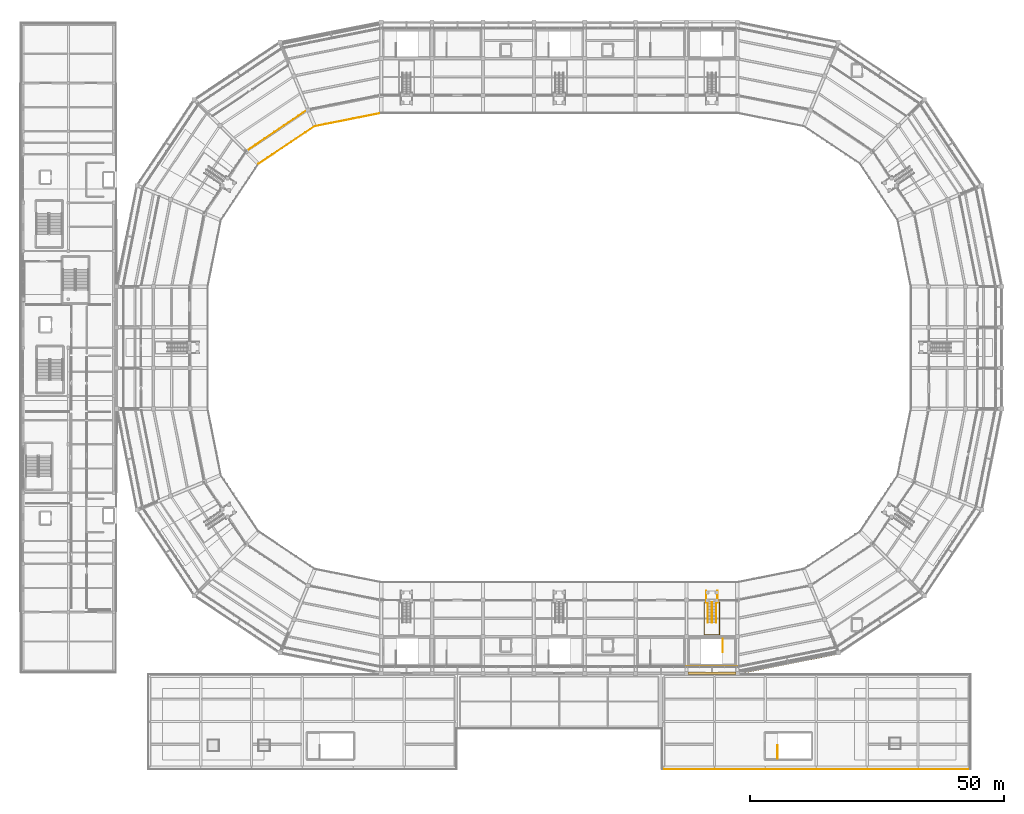
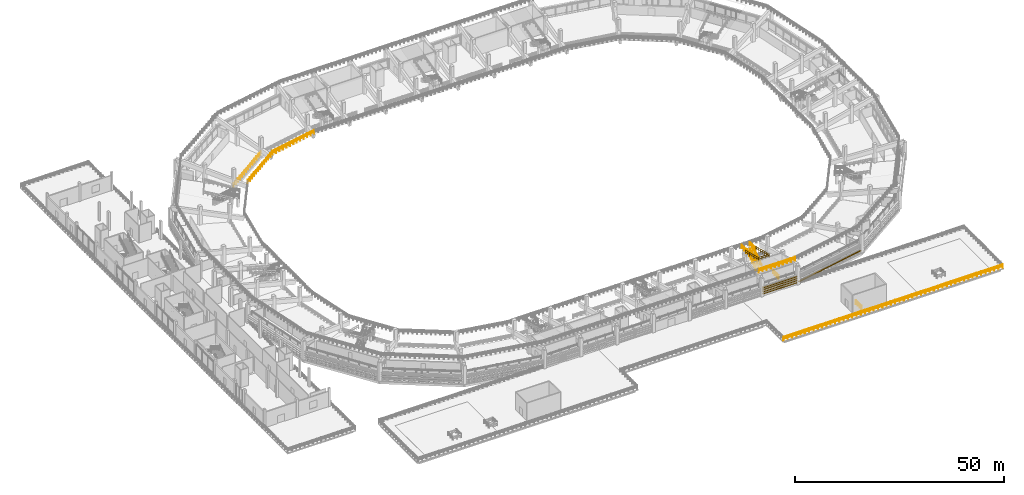
# One storey, part 87 of 96: 11 railings, 5 shading devices.
"""IFC4 building model written with IfcOpenShell, lengths in metres."""

from ifc_helpers import new_model, si_unit, direction, frame, origin, origin_2d, place, context, subcontext, project, spatial, rectangle, circle, extrude, material, layer, layer_set, type_object, element, save


model = new_model("IFC4")

# Units and contexts
model_context = context("Model", 3, precision=1e-05, world=origin(), true_north=direction((0.0, 1.0)))
body_context = subcontext(model_context, "Body", "Model", "MODEL_VIEW")
ifc_project = project(units=[si_unit("LENGTHUNIT", "METRE"), si_unit("AREAUNIT", "SQUARE_METRE"), si_unit("VOLUMEUNIT", "CUBIC_METRE"), si_unit("PLANEANGLEUNIT", "RADIAN"), si_unit("MASSUNIT", "GRAM", prefix="KILO")], contexts=[model_context])

# Site, building, storey
site_placement = place(None, origin())
site = spatial("IfcSite", under=ifc_project, at=site_placement, CompositionType="ELEMENT")
building_placement = place(site_placement, origin())
building = spatial("IfcBuilding", under=site, at=building_placement, Name="Candeia Ridge Stadium", CompositionType="ELEMENT")
storey_placement = place(building_placement, frame((0.0, 0.0, 21.60009765625)))
storey = spatial("IfcBuildingStorey", under=building, at=storey_placement, Name="L04", CompositionType="ELEMENT", Elevation=21.60009765625)

# Railings
ifc_material_1 = material(Name="Laminated Glass & Stainless Steel", Category="steel")
ifc_layer_1 = layer(ifc_material_1, 0.080078125, Name="Laminated Glass & Stainless Steel", Category="steel")
ifc_layer_set_1 = layer_set([ifc_layer_1], Name="Laminated Glass & Stainless Steel")
railing_type_1 = type_object("IfcRailingType", Name="Planted Terrace Glass-Steel Guard 1150", PredefinedType="BALUSTRADE", material=ifc_layer_set_1)
railing_1_placement = place(storey_placement, frame((126.199951171875, 0.199951171875, 0.0)))
element("IfcRailing", 1, at=railing_1_placement, inside=storey, type_object=railing_type_1, Name="Terrace perimeter balustrade GR-TER-205", PredefinedType="BALUSTRADE", context=body_context, shape_type="SweptSolid", body=[
    extrude(circle(Radius=0.02392578125, at=origin_2d()), frame((0.0, 0.0, 1.1259765625), z_axis=(1.0, 0.0, 0.0), x_axis=(0.0, 1.0, 0.0)), (0.0, 0.0, 1.0), 60.60009765625),
    extrude(circle(Radius=0.02392578125, at=origin_2d()), frame((0.0, 0.0, 0.574951171875), z_axis=(1.0, 0.0, 0.0), x_axis=(0.0, 1.0, 0.0)), (0.0, 0.0, 1.0), 60.60009765625),
    extrude(circle(Radius=0.02099609375, at=origin_2d()), origin(), (0.0, 0.0, 1.0), 1.101806640625),
    extrude(circle(Radius=0.02099609375, at=origin_2d()), frame((1.188232421875, 0.0, 0.0)), (0.0, 0.0, 1.0), 1.101806640625),
    extrude(circle(Radius=0.02099609375, at=origin_2d()), frame((2.37646484375, 0.0, 0.0)), (0.0, 0.0, 1.0), 1.101806640625),
    extrude(circle(Radius=0.02099609375, at=origin_2d()), frame((3.564697265625, 0.0, 0.0)), (0.0, 0.0, 1.0), 1.101806640625),
    extrude(circle(Radius=0.02099609375, at=origin_2d()), frame((4.7529296875, 0.0, 0.0)), (0.0, 0.0, 1.0), 1.101806640625),
    extrude(circle(Radius=0.02099609375, at=origin_2d()), frame((5.941162109375, 0.0, 0.0)), (0.0, 0.0, 1.0), 1.101806640625),
    extrude(circle(Radius=0.02099609375, at=origin_2d()), frame((7.12939453125, 0.0, 0.0)), (0.0, 0.0, 1.0), 1.101806640625),
    extrude(circle(Radius=0.02099609375, at=origin_2d()), frame((8.317626953125, 0.0, 0.0)), (0.0, 0.0, 1.0), 1.101806640625),
    extrude(circle(Radius=0.02099609375, at=origin_2d()), frame((9.505859375, 0.0, 0.0)), (0.0, 0.0, 1.0), 1.101806640625),
    extrude(circle(Radius=0.02099609375, at=origin_2d()), frame((10.694091796875, 0.0, 0.0)), (0.0, 0.0, 1.0), 1.101806640625),
    extrude(circle(Radius=0.02099609375, at=origin_2d()), frame((11.88232421875, 0.0, 0.0)), (0.0, 0.0, 1.0), 1.101806640625),
    extrude(circle(Radius=0.02099609375, at=origin_2d()), frame((13.070556640625, 0.0, 0.0)), (0.0, 0.0, 1.0), 1.101806640625),
    extrude(circle(Radius=0.02099609375, at=origin_2d()), frame((14.2587890625, 0.0, 0.0)), (0.0, 0.0, 1.0), 1.101806640625),
    extrude(circle(Radius=0.02099609375, at=origin_2d()), frame((15.447021484375, 0.0, 0.0)), (0.0, 0.0, 1.0), 1.101806640625),
    extrude(circle(Radius=0.02099609375, at=origin_2d()), frame((16.63525390625, 0.0, 0.0)), (0.0, 0.0, 1.0), 1.101806640625),
    extrude(circle(Radius=0.02099609375, at=origin_2d()), frame((17.823486328125, 0.0, 0.0)), (0.0, 0.0, 1.0), 1.101806640625),
    extrude(circle(Radius=0.02099609375, at=origin_2d()), frame((19.01171875, 0.0, 0.0)), (0.0, 0.0, 1.0), 1.101806640625),
    extrude(circle(Radius=0.02099609375, at=origin_2d()), frame((20.199951171875, 0.0, 0.0)), (0.0, 0.0, 1.0), 1.101806640625),
    extrude(circle(Radius=0.02099609375, at=origin_2d()), frame((21.38818359375, 0.0, 0.0)), (0.0, 0.0, 1.0), 1.101806640625),
    extrude(circle(Radius=0.02099609375, at=origin_2d()), frame((22.576416015625, 0.0, 0.0)), (0.0, 0.0, 1.0), 1.101806640625),
    extrude(circle(Radius=0.02099609375, at=origin_2d()), frame((23.7646484375, 0.0, 0.0)), (0.0, 0.0, 1.0), 1.101806640625),
    extrude(circle(Radius=0.02099609375, at=origin_2d()), frame((24.952880859375, 0.0, 0.0)), (0.0, 0.0, 1.0), 1.101806640625),
    extrude(circle(Radius=0.02099609375, at=origin_2d()), frame((26.14111328125, 0.0, 0.0)), (0.0, 0.0, 1.0), 1.101806640625),
    extrude(circle(Radius=0.02099609375, at=origin_2d()), frame((27.329345703125, 0.0, 0.0)), (0.0, 0.0, 1.0), 1.101806640625),
    extrude(circle(Radius=0.02099609375, at=origin_2d()), frame((28.517578125, 0.0, 0.0)), (0.0, 0.0, 1.0), 1.101806640625),
    extrude(circle(Radius=0.02099609375, at=origin_2d()), frame((29.705810546875, 0.0, 0.0)), (0.0, 0.0, 1.0), 1.101806640625),
    extrude(circle(Radius=0.02099609375, at=origin_2d()), frame((30.894287109375, 0.0, 0.0)), (0.0, 0.0, 1.0), 1.101806640625),
    extrude(circle(Radius=0.02099609375, at=origin_2d()), frame((32.08251953125, 0.0, 0.0)), (0.0, 0.0, 1.0), 1.101806640625),
    extrude(circle(Radius=0.02099609375, at=origin_2d()), frame((33.270751953125, 0.0, 0.0)), (0.0, 0.0, 1.0), 1.101806640625),
    extrude(circle(Radius=0.02099609375, at=origin_2d()), frame((34.458984375, 0.0, 0.0)), (0.0, 0.0, 1.0), 1.101806640625),
    extrude(circle(Radius=0.02099609375, at=origin_2d()), frame((35.647216796875, 0.0, 0.0)), (0.0, 0.0, 1.0), 1.101806640625),
    extrude(circle(Radius=0.02099609375, at=origin_2d()), frame((36.83544921875, 0.0, 0.0)), (0.0, 0.0, 1.0), 1.101806640625),
    extrude(circle(Radius=0.02099609375, at=origin_2d()), frame((38.023681640625, 0.0, 0.0)), (0.0, 0.0, 1.0), 1.101806640625),
    extrude(circle(Radius=0.02099609375, at=origin_2d()), frame((39.2119140625, 0.0, 0.0)), (0.0, 0.0, 1.0), 1.101806640625),
    extrude(circle(Radius=0.02099609375, at=origin_2d()), frame((40.400146484375, 0.0, 0.0)), (0.0, 0.0, 1.0), 1.101806640625),
    extrude(circle(Radius=0.02099609375, at=origin_2d()), frame((41.58837890625, 0.0, 0.0)), (0.0, 0.0, 1.0), 1.101806640625),
    extrude(circle(Radius=0.02099609375, at=origin_2d()), frame((42.776611328125, 0.0, 0.0)), (0.0, 0.0, 1.0), 1.101806640625),
    extrude(circle(Radius=0.02099609375, at=origin_2d()), frame((43.96484375, 0.0, 0.0)), (0.0, 0.0, 1.0), 1.101806640625),
    extrude(circle(Radius=0.02099609375, at=origin_2d()), frame((45.153076171875, 0.0, 0.0)), (0.0, 0.0, 1.0), 1.101806640625),
    extrude(circle(Radius=0.02099609375, at=origin_2d()), frame((46.34130859375, 0.0, 0.0)), (0.0, 0.0, 1.0), 1.101806640625),
    extrude(circle(Radius=0.02099609375, at=origin_2d()), frame((47.529541015625, 0.0, 0.0)), (0.0, 0.0, 1.0), 1.101806640625),
    extrude(circle(Radius=0.02099609375, at=origin_2d()), frame((48.7177734375, 0.0, 0.0)), (0.0, 0.0, 1.0), 1.101806640625),
    extrude(circle(Radius=0.02099609375, at=origin_2d()), frame((49.906005859375, 0.0, 0.0)), (0.0, 0.0, 1.0), 1.101806640625),
    extrude(circle(Radius=0.02099609375, at=origin_2d()), frame((51.09423828125, 0.0, 0.0)), (0.0, 0.0, 1.0), 1.101806640625),
    extrude(circle(Radius=0.02099609375, at=origin_2d()), frame((52.282470703125, 0.0, 0.0)), (0.0, 0.0, 1.0), 1.101806640625),
    extrude(circle(Radius=0.02099609375, at=origin_2d()), frame((53.470703125, 0.0, 0.0)), (0.0, 0.0, 1.0), 1.101806640625),
    extrude(circle(Radius=0.02099609375, at=origin_2d()), frame((54.658935546875, 0.0, 0.0)), (0.0, 0.0, 1.0), 1.101806640625),
    extrude(circle(Radius=0.02099609375, at=origin_2d()), frame((55.84716796875, 0.0, 0.0)), (0.0, 0.0, 1.0), 1.101806640625),
    extrude(circle(Radius=0.02099609375, at=origin_2d()), frame((57.035400390625, 0.0, 0.0)), (0.0, 0.0, 1.0), 1.101806640625),
    extrude(circle(Radius=0.02099609375, at=origin_2d()), frame((58.2236328125, 0.0, 0.0)), (0.0, 0.0, 1.0), 1.101806640625),
    extrude(circle(Radius=0.02099609375, at=origin_2d()), frame((59.411865234375, 0.0, 0.0)), (0.0, 0.0, 1.0), 1.101806640625),
    extrude(circle(Radius=0.02099609375, at=origin_2d()), frame((60.60009765625, 0.0, 0.0)), (0.0, 0.0, 1.0), 1.101806640625),
])
ifc_material_2 = material(Name="Galvanized Powder-Coated Steel", Category="steel")
ifc_layer_2 = layer(ifc_material_2, 0.074951171875, Name="Galvanized Powder-Coated Steel", Category="steel")
ifc_layer_set_2 = layer_set([ifc_layer_2], Name="Galvanized Powder-Coated Steel")
railing_type_2 = type_object("IfcRailingType", Name="Spectator Bowl Front Guardrail 1120", PredefinedType="GUARDRAIL", material=ifc_layer_set_2)
railing_2_placement = place(storey_placement, frame((71.0, 129.1201171875, 1.64990234375)))
element("IfcRailing", 2, at=railing_2_placement, inside=storey, type_object=railing_type_2, Name="Stand T3 front safety guardrail bay 08", PredefinedType="GUARDRAIL", context=body_context, shape_type="SweptSolid", body=[
    extrude(circle(Radius=0.02392578125, at=origin_2d()), frame((0.0, 0.0, 1.09619140625), z_axis=(-0.980782582757, -0.195103883511, 0.0), x_axis=(0.195103883511, -0.980782582757, 0.0)), (0.0, 0.0, 1.0), 13.31298828125),
    extrude(circle(Radius=0.02392578125, at=origin_2d()), frame((0.0, 0.0, 0.56005859375), z_axis=(-0.980782582757, -0.195103883511, 0.0), x_axis=(0.195103883511, -0.980782582757, 0.0)), (0.0, 0.0, 1.0), 13.31298828125),
    extrude(circle(Radius=0.02099609375, at=origin_2d()), origin(), (0.0, 0.0, 1.0), 1.072021484375),
    extrude(circle(Radius=0.02099609375, at=origin_2d()), frame((-1.088134765625, -0.216552734375, 0.0)), (0.0, 0.0, 1.0), 1.072021484375),
    extrude(circle(Radius=0.02099609375, at=origin_2d()), frame((-2.17626953125, -0.432861328125, 0.0)), (0.0, 0.0, 1.0), 1.072021484375),
    extrude(circle(Radius=0.02099609375, at=origin_2d()), frame((-3.26416015625, -0.6494140625, 0.0)), (0.0, 0.0, 1.0), 1.072021484375),
    extrude(circle(Radius=0.02099609375, at=origin_2d()), frame((-4.352294921875, -0.86572265625, 0.0)), (0.0, 0.0, 1.0), 1.072021484375),
    extrude(circle(Radius=0.02099609375, at=origin_2d()), frame((-5.4404296875, -1.082275390625, 0.0)), (0.0, 0.0, 1.0), 1.072021484375),
    extrude(circle(Radius=0.02099609375, at=origin_2d()), frame((-6.528564453125, -1.298828125, 0.0)), (0.0, 0.0, 1.0), 1.072021484375),
    extrude(circle(Radius=0.02099609375, at=origin_2d()), frame((-7.61669921875, -1.51513671875, 0.0)), (0.0, 0.0, 1.0), 1.072021484375),
    extrude(circle(Radius=0.02099609375, at=origin_2d()), frame((-8.704833984375, -1.731689453125, 0.0)), (0.0, 0.0, 1.0), 1.072021484375),
    extrude(circle(Radius=0.02099609375, at=origin_2d()), frame((-9.79296875, -1.947998046875, 0.0)), (0.0, 0.0, 1.0), 1.072021484375),
    extrude(circle(Radius=0.02099609375, at=origin_2d()), frame((-10.880859375, -2.16455078125, 0.0)), (0.0, 0.0, 1.0), 1.072021484375),
    extrude(circle(Radius=0.02099609375, at=origin_2d()), frame((-11.968994140625, -2.380859375, 0.0)), (0.0, 0.0, 1.0), 1.072021484375),
    extrude(circle(Radius=0.02099609375, at=origin_2d()), frame((-13.05712890625, -2.597412109375, 0.0)), (0.0, 0.0, 1.0), 1.072021484375),
])
railing_3_placement = place(storey_placement, frame((57.94287109375, 126.522705078125, 1.64990234375)))
element("IfcRailing", 3, at=railing_3_placement, inside=storey, type_object=railing_type_2, Name="Stand T3 front safety guardrail bay 09", PredefinedType="GUARDRAIL", context=body_context, shape_type="SweptSolid", body=[
    extrude(circle(Radius=0.02392578125, at=origin_2d()), frame((0.0, 0.0, 1.09619140625), z_axis=(-0.831471471272, -0.555567450865, 0.0), x_axis=(0.555567450865, -0.831471471272, 0.0)), (0.0, 0.0, 1.0), 13.31298828125),
    extrude(circle(Radius=0.02392578125, at=origin_2d()), frame((0.0, 0.0, 0.56005859375), z_axis=(-0.831471471272, -0.555567450865, 0.0), x_axis=(0.555567450865, -0.831471471272, 0.0)), (0.0, 0.0, 1.0), 13.31298828125),
    extrude(circle(Radius=0.02099609375, at=origin_2d()), origin(), (0.0, 0.0, 1.0), 1.072021484375),
    extrude(circle(Radius=0.02099609375, at=origin_2d()), frame((-0.92236328125, -0.616455078125, 0.0)), (0.0, 0.0, 1.0), 1.072021484375),
    extrude(circle(Radius=0.02099609375, at=origin_2d()), frame((-1.844970703125, -1.232666015625, 0.0)), (0.0, 0.0, 1.0), 1.072021484375),
    extrude(circle(Radius=0.02099609375, at=origin_2d()), frame((-2.767333984375, -1.84912109375, 0.0)), (0.0, 0.0, 1.0), 1.072021484375),
    extrude(circle(Radius=0.02099609375, at=origin_2d()), frame((-3.689697265625, -2.46533203125, 0.0)), (0.0, 0.0, 1.0), 1.072021484375),
    extrude(circle(Radius=0.02099609375, at=origin_2d()), frame((-4.6123046875, -3.081787109375, 0.0)), (0.0, 0.0, 1.0), 1.072021484375),
    extrude(circle(Radius=0.02099609375, at=origin_2d()), frame((-5.53466796875, -3.6982421875, 0.0)), (0.0, 0.0, 1.0), 1.072021484375),
    extrude(circle(Radius=0.02099609375, at=origin_2d()), frame((-6.45703125, -4.314453125, 0.0)), (0.0, 0.0, 1.0), 1.072021484375),
    extrude(circle(Radius=0.02099609375, at=origin_2d()), frame((-7.379638671875, -4.930908203125, 0.0)), (0.0, 0.0, 1.0), 1.072021484375),
    extrude(circle(Radius=0.02099609375, at=origin_2d()), frame((-8.302001953125, -5.547119140625, 0.0)), (0.0, 0.0, 1.0), 1.072021484375),
    extrude(circle(Radius=0.02099609375, at=origin_2d()), frame((-9.224365234375, -6.16357421875, 0.0)), (0.0, 0.0, 1.0), 1.072021484375),
    extrude(circle(Radius=0.02099609375, at=origin_2d()), frame((-10.14697265625, -6.77978515625, 0.0)), (0.0, 0.0, 1.0), 1.072021484375),
    extrude(circle(Radius=0.02099609375, at=origin_2d()), frame((-11.0693359375, -7.396240234375, 0.0)), (0.0, 0.0, 1.0), 1.072021484375),
])
railing_4_placement = place(storey_placement, frame((131.0, 20.320068359375, 6.0)))
element("IfcRailing", 4, at=railing_4_placement, inside=storey, type_object=railing_type_2, Name="Stand T3 rear safety guardrail bay 25", PredefinedType="GUARDRAIL", context=body_context, shape_type="SweptSolid", body=[
    extrude(circle(Radius=0.02392578125, at=origin_2d()), frame((0.0, 0.0, 1.09619140625), z_axis=(1.0, 0.0, 0.0), x_axis=(0.0, 1.0, 0.0)), (0.0, 0.0, 1.0), 10.0),
    extrude(circle(Radius=0.02392578125, at=origin_2d()), frame((0.0, 0.0, 0.56005859375), z_axis=(1.0, 0.0, 0.0), x_axis=(0.0, 1.0, 0.0)), (0.0, 0.0, 1.0), 10.0),
    extrude(circle(Radius=0.02099609375, at=origin_2d()), origin(), (0.0, 0.0, 1.0), 1.072021484375),
    extrude(circle(Radius=0.02099609375, at=origin_2d()), frame((1.111083984375, 0.0, 0.0)), (0.0, 0.0, 1.0), 1.072021484375),
    extrude(circle(Radius=0.02099609375, at=origin_2d()), frame((2.22216796875, 0.0, 0.0)), (0.0, 0.0, 1.0), 1.072021484375),
    extrude(circle(Radius=0.02099609375, at=origin_2d()), frame((3.333251953125, 0.0, 0.0)), (0.0, 0.0, 1.0), 1.072021484375),
    extrude(circle(Radius=0.02099609375, at=origin_2d()), frame((4.4443359375, 0.0, 0.0)), (0.0, 0.0, 1.0), 1.072021484375),
    extrude(circle(Radius=0.02099609375, at=origin_2d()), frame((5.5556640625, 0.0, 0.0)), (0.0, 0.0, 1.0), 1.072021484375),
    extrude(circle(Radius=0.02099609375, at=origin_2d()), frame((6.666748046875, 0.0, 0.0)), (0.0, 0.0, 1.0), 1.072021484375),
    extrude(circle(Radius=0.02099609375, at=origin_2d()), frame((7.77783203125, 0.0, 0.0)), (0.0, 0.0, 1.0), 1.072021484375),
    extrude(circle(Radius=0.02099609375, at=origin_2d()), frame((8.888916015625, 0.0, 0.0)), (0.0, 0.0, 1.0), 1.072021484375),
    extrude(circle(Radius=0.02099609375, at=origin_2d()), frame((10.0, 0.0, 0.0)), (0.0, 0.0, 1.0), 1.072021484375),
])
railing_5_placement = place(storey_placement, frame((56.566650390625, 129.804443359375, 0.0)))
element("IfcRailing", 5, at=railing_5_placement, inside=storey, type_object=railing_type_2, Name="Deck edge safety guardrail GR-DE-L04-0236", PredefinedType="GUARDRAIL", context=body_context, shape_type="SweptSolid", body=[
    extrude(circle(Radius=0.02392578125, at=origin_2d()), frame((0.0, 0.0, 1.09619140625), z_axis=(-0.828422855938, -0.560103179566, 0.0), x_axis=(0.560103179566, -0.828422855938, 0.0)), (0.0, 0.0, 1.0), 14.6708984375),
    extrude(circle(Radius=0.02392578125, at=origin_2d()), frame((0.0, 0.0, 0.56005859375), z_axis=(-0.828422855938, -0.560103179566, 0.0), x_axis=(0.560103179566, -0.828422855938, 0.0)), (0.0, 0.0, 1.0), 14.6708984375),
    extrude(circle(Radius=0.02099609375, at=origin_2d()), origin(), (0.0, 0.0, 1.0), 1.072021484375),
    extrude(circle(Radius=0.02099609375, at=origin_2d()), frame((-0.934814453125, -0.632080078125, 0.0)), (0.0, 0.0, 1.0), 1.072021484375),
    extrude(circle(Radius=0.02099609375, at=origin_2d()), frame((-1.869873046875, -1.26416015625, 0.0)), (0.0, 0.0, 1.0), 1.072021484375),
    extrude(circle(Radius=0.02099609375, at=origin_2d()), frame((-2.8046875, -1.896240234375, 0.0)), (0.0, 0.0, 1.0), 1.072021484375),
    extrude(circle(Radius=0.02099609375, at=origin_2d()), frame((-3.73974609375, -2.5283203125, 0.0)), (0.0, 0.0, 1.0), 1.072021484375),
    extrude(circle(Radius=0.02099609375, at=origin_2d()), frame((-4.674560546875, -3.160400390625, 0.0)), (0.0, 0.0, 1.0), 1.072021484375),
    extrude(circle(Radius=0.02099609375, at=origin_2d()), frame((-5.609375, -3.79248046875, 0.0)), (0.0, 0.0, 1.0), 1.072021484375),
    extrude(circle(Radius=0.02099609375, at=origin_2d()), frame((-6.54443359375, -4.4248046875, 0.0)), (0.0, 0.0, 1.0), 1.072021484375),
    extrude(circle(Radius=0.02099609375, at=origin_2d()), frame((-7.479248046875, -5.056884765625, 0.0)), (0.0, 0.0, 1.0), 1.072021484375),
    extrude(circle(Radius=0.02099609375, at=origin_2d()), frame((-8.4140625, -5.68896484375, 0.0)), (0.0, 0.0, 1.0), 1.072021484375),
    extrude(circle(Radius=0.02099609375, at=origin_2d()), frame((-9.34912109375, -6.321044921875, 0.0)), (0.0, 0.0, 1.0), 1.072021484375),
    extrude(circle(Radius=0.02099609375, at=origin_2d()), frame((-10.283935546875, -6.953125, 0.0)), (0.0, 0.0, 1.0), 1.072021484375),
    extrude(circle(Radius=0.02099609375, at=origin_2d()), frame((-11.218994140625, -7.585205078125, 0.0)), (0.0, 0.0, 1.0), 1.072021484375),
    extrude(circle(Radius=0.02099609375, at=origin_2d()), frame((-12.15380859375, -8.21728515625, 0.0)), (0.0, 0.0, 1.0), 1.072021484375),
])
ifc_material_3 = material(Name="Brushed Stainless Steel", Category="steel")
ifc_layer_3 = layer(ifc_material_3, 0.048095703125, Name="Brushed Stainless Steel", Category="steel")
ifc_layer_set_3 = layer_set([ifc_layer_3], Name="Brushed Stainless Steel")
railing_type_3 = type_object("IfcRailingType", Name="Stair Wall & Flight Handrail 900", PredefinedType="HANDRAIL", material=ifc_layer_set_3)
railing_6_placement = place(storey_placement, frame((136.0, 28.97802734375, 0.179443359375)))
element("IfcRailing", 6, at=railing_6_placement, inside=storey, type_object=railing_type_3, Name="Vomitory stair handrail VS33", PredefinedType="HANDRAIL", context=body_context, shape_type="SweptSolid", body=[
    extrude(circle(Radius=0.02392578125, at=origin_2d()), frame((0.0, 0.0, 0.8759765625), z_axis=(0.0, 0.846023572205, 0.533145491656), x_axis=(-1.0, 0.0, 0.0)), (0.0, 0.0, 1.0), 4.716064453125),
    extrude(circle(Radius=0.02099609375, at=origin_2d()), origin(), (0.0, 0.0, 1.0), 0.851806640625),
    extrude(circle(Radius=0.02099609375, at=origin_2d()), frame((0.0, 0.99755859375, 0.628662109375)), (0.0, 0.0, 1.0), 0.851806640625),
    extrude(circle(Radius=0.02099609375, at=origin_2d()), frame((0.0, 1.9951171875, 1.25732421875)), (0.0, 0.0, 1.0), 0.851806640625),
    extrude(circle(Radius=0.02099609375, at=origin_2d()), frame((0.0, 2.992431640625, 1.8857421875)), (0.0, 0.0, 1.0), 0.851806640625),
    extrude(circle(Radius=0.02099609375, at=origin_2d()), frame((0.0, 3.989990234375, 2.514404296875)), (0.0, 0.0, 1.0), 0.851806640625),
])
ifc_layer_4 = layer(ifc_material_2, 0.06005859375, Name="Galvanized Powder-Coated Steel", Category="steel")
ifc_layer_set_4 = layer_set([ifc_layer_4], Name="Galvanized Powder-Coated Steel")
railing_type_4 = type_object("IfcRailingType", Name="Stair Well Guardrail 1100", PredefinedType="GUARDRAIL", material=ifc_layer_set_4)
railing_7_placement = place(storey_placement, frame((138.10009765625, 25.800048828125, 0.0)))
element("IfcRailing", 7, at=railing_7_placement, inside=storey, type_object=railing_type_4, Name="L04 ST03 top well guard 1", PredefinedType="GUARDRAIL", context=body_context, shape_type="SweptSolid", body=[
    extrude(circle(Radius=0.02392578125, at=origin_2d()), frame((0.0, 0.0, 1.076171875), z_axis=(0.0, -1.0, 0.0), x_axis=(1.0, 0.0, 0.0)), (0.0, 0.0, 1.0), 2.60009765625),
    extrude(circle(Radius=0.02392578125, at=origin_2d()), frame((0.0, 0.0, 0.550048828125), z_axis=(0.0, -1.0, 0.0), x_axis=(1.0, 0.0, 0.0)), (0.0, 0.0, 1.0), 2.60009765625),
    extrude(circle(Radius=0.02099609375, at=origin_2d()), origin(), (0.0, 0.0, 1.0), 1.052001953125),
    extrude(circle(Radius=0.02099609375, at=origin_2d()), frame((0.0, -0.86669921875, 0.0)), (0.0, 0.0, 1.0), 1.052001953125),
    extrude(circle(Radius=0.02099609375, at=origin_2d()), frame((0.0, -1.7333984375, 0.0)), (0.0, 0.0, 1.0), 1.052001953125),
    extrude(circle(Radius=0.02099609375, at=origin_2d()), frame((0.0, -2.60009765625, 0.0)), (0.0, 0.0, 1.0), 1.052001953125),
])
railing_8_placement = place(storey_placement, frame((148.89990234375, 2.199951171875, 0.0)))
element("IfcRailing", 8, at=railing_8_placement, inside=storey, type_object=railing_type_4, Name="L04 ST14 top well guard 1", PredefinedType="GUARDRAIL", context=body_context, shape_type="SweptSolid", body=[
    extrude(circle(Radius=0.02392578125, at=origin_2d()), frame((0.0, 0.0, 1.076171875), z_axis=(0.0, 1.0, 0.0), x_axis=(-1.0, 0.0, 0.0)), (0.0, 0.0, 1.0), 2.60009765625),
    extrude(circle(Radius=0.02392578125, at=origin_2d()), frame((0.0, 0.0, 0.550048828125), z_axis=(0.0, 1.0, 0.0), x_axis=(-1.0, 0.0, 0.0)), (0.0, 0.0, 1.0), 2.60009765625),
    extrude(circle(Radius=0.02099609375, at=origin_2d()), origin(), (0.0, 0.0, 1.0), 1.052001953125),
    extrude(circle(Radius=0.02099609375, at=origin_2d()), frame((0.0, 0.86669921875, 0.0)), (0.0, 0.0, 1.0), 1.052001953125),
    extrude(circle(Radius=0.02099609375, at=origin_2d()), frame((0.0, 1.7333984375, 0.0)), (0.0, 0.0, 1.0), 1.052001953125),
    extrude(circle(Radius=0.02099609375, at=origin_2d()), frame((0.0, 2.60009765625, 0.0)), (0.0, 0.0, 1.0), 1.052001953125),
])
ifc_layer_5 = layer(ifc_material_2, 0.070068359375, Name="Galvanized Powder-Coated Steel", Category="steel")
ifc_layer_set_5 = layer_set([ifc_layer_5], Name="Galvanized Powder-Coated Steel")
railing_type_5 = type_object("IfcRailingType", Name="Vomitory Portal Guardrail 1100", PredefinedType="GUARDRAIL", material=ifc_layer_set_5)
railing_9_placement = place(storey_placement, frame((134.5, 32.968017578125, 2.69384765625)))
element("IfcRailing", 9, at=railing_9_placement, inside=storey, type_object=railing_type_5, Name="Vomitory portal guardrail VS33", PredefinedType="GUARDRAIL", context=body_context, shape_type="SweptSolid", body=[
    extrude(circle(Radius=0.02392578125, at=origin_2d()), frame((0.0, 0.0, 1.076171875), z_axis=(0.0, -0.9680721346, 0.250671781842), x_axis=(1.0, 0.0, 0.0)), (0.0, 0.0, 1.0), 6.594482421875),
    extrude(circle(Radius=0.02392578125, at=origin_2d()), frame((0.0, 0.0, 0.550048828125), z_axis=(0.0, -0.9680721346, 0.250671781842), x_axis=(1.0, 0.0, 0.0)), (0.0, 0.0, 1.0), 6.594482421875),
    extrude(circle(Radius=0.02392578125, at=origin_2d()), frame((0.0, -6.384033203125, 2.72900390625), z_axis=(1.0, 0.0, 0.0), x_axis=(0.0, 1.0, 0.0)), (0.0, 0.0, 1.0), 3.0),
    extrude(circle(Radius=0.02392578125, at=origin_2d()), frame((0.0, -6.384033203125, 2.203125), z_axis=(1.0, 0.0, 0.0), x_axis=(0.0, 1.0, 0.0)), (0.0, 0.0, 1.0), 3.0),
    extrude(circle(Radius=0.02392578125, at=origin_2d()), frame((3.0, -6.384033203125, 2.72900390625), z_axis=(0.0, 0.9680721346, -0.250671781842), x_axis=(-1.0, 0.0, 0.0)), (0.0, 0.0, 1.0), 6.594482421875),
    extrude(circle(Radius=0.02392578125, at=origin_2d()), frame((3.0, -6.384033203125, 2.203125), z_axis=(0.0, 0.9680721346, -0.250671781842), x_axis=(-1.0, 0.0, 0.0)), (0.0, 0.0, 1.0), 6.594482421875),
    extrude(circle(Radius=0.02099609375, at=origin_2d()), origin(), (0.0, 0.0, 1.0), 1.052001953125),
    extrude(circle(Radius=0.02099609375, at=origin_2d()), frame((0.0, -1.06396484375, 0.275390625)), (0.0, 0.0, 1.0), 1.052001953125),
    extrude(circle(Radius=0.02099609375, at=origin_2d()), frame((0.0, -2.1279296875, 0.551025390625)), (0.0, 0.0, 1.0), 1.052001953125),
    extrude(circle(Radius=0.02099609375, at=origin_2d()), frame((0.0, -3.19189453125, 0.82666015625)), (0.0, 0.0, 1.0), 1.052001953125),
    extrude(circle(Radius=0.02099609375, at=origin_2d()), frame((0.0, -4.256103515625, 1.10205078125)), (0.0, 0.0, 1.0), 1.052001953125),
    extrude(circle(Radius=0.02099609375, at=origin_2d()), frame((0.0, -5.320068359375, 1.37744140625)), (0.0, 0.0, 1.0), 1.052001953125),
    extrude(circle(Radius=0.02099609375, at=origin_2d()), frame((0.0, -6.384033203125, 1.653076171875)), (0.0, 0.0, 1.0), 1.052001953125),
    extrude(circle(Radius=0.02099609375, at=origin_2d()), frame((1.0, -6.384033203125, 1.653076171875)), (0.0, 0.0, 1.0), 1.052001953125),
    extrude(circle(Radius=0.02099609375, at=origin_2d()), frame((2.0, -6.384033203125, 1.653076171875)), (0.0, 0.0, 1.0), 1.052001953125),
    extrude(circle(Radius=0.02099609375, at=origin_2d()), frame((3.0, -6.384033203125, 1.653076171875)), (0.0, 0.0, 1.0), 1.052001953125),
    extrude(circle(Radius=0.02099609375, at=origin_2d()), frame((3.0, -5.320068359375, 1.37744140625)), (0.0, 0.0, 1.0), 1.052001953125),
    extrude(circle(Radius=0.02099609375, at=origin_2d()), frame((3.0, -4.256103515625, 1.10205078125)), (0.0, 0.0, 1.0), 1.052001953125),
    extrude(circle(Radius=0.02099609375, at=origin_2d()), frame((3.0, -3.19189453125, 0.82666015625)), (0.0, 0.0, 1.0), 1.052001953125),
    extrude(circle(Radius=0.02099609375, at=origin_2d()), frame((3.0, -2.1279296875, 0.551025390625)), (0.0, 0.0, 1.0), 1.052001953125),
    extrude(circle(Radius=0.02099609375, at=origin_2d()), frame((3.0, -1.06396484375, 0.275390625)), (0.0, 0.0, 1.0), 1.052001953125),
    extrude(circle(Radius=0.02099609375, at=origin_2d()), frame((3.0, 0.0, 0.0)), (0.0, 0.0, 1.0), 1.052001953125),
])
railing_10_placement = place(storey_placement, frame((135.179931640625, 28.97802734375, 0.0)))
element("IfcRailing", 10, at=railing_10_placement, inside=storey, type_object=railing_type_5, Name="Vomitory stair & landing side guardrail VS33-L", PredefinedType="GUARDRAIL", context=body_context, shape_type="SweptSolid", body=[
    extrude(circle(Radius=0.02392578125, at=origin_2d()), frame((0.0, 0.0, 1.076171875), z_axis=(0.0, 0.828790466984, 0.559559078058), x_axis=(-1.0, 0.0, 0.0)), (0.0, 0.0, 1.0), 4.814208984375),
    extrude(circle(Radius=0.02392578125, at=origin_2d()), frame((0.0, 0.0, 0.550048828125), z_axis=(0.0, 0.828790466984, 0.559559078058), x_axis=(-1.0, 0.0, 0.0)), (0.0, 0.0, 1.0), 4.814208984375),
    extrude(circle(Radius=0.02392578125, at=origin_2d()), frame((0.0, 3.989990234375, 3.77001953125), z_axis=(-0.989932225045, -0.141542183877, 0.0), x_axis=(0.141542183877, -0.989932225045, 0.0)), (0.0, 0.0, 1.0), 0.282958984375),
    extrude(circle(Radius=0.02392578125, at=origin_2d()), frame((0.0, 3.989990234375, 3.243896484375), z_axis=(-0.989932225045, -0.141542183877, 0.0), x_axis=(0.141542183877, -0.989932225045, 0.0)), (0.0, 0.0, 1.0), 0.282958984375),
    extrude(circle(Radius=0.02392578125, at=origin_2d()), frame((-0.280029296875, 3.949951171875, 3.77001953125), z_axis=(0.0, 1.0, 0.0), x_axis=(-1.0, 0.0, 0.0)), (0.0, 0.0, 1.0), 2.320068359375),
    extrude(circle(Radius=0.02392578125, at=origin_2d()), frame((-0.280029296875, 3.949951171875, 3.243896484375), z_axis=(0.0, 1.0, 0.0), x_axis=(-1.0, 0.0, 0.0)), (0.0, 0.0, 1.0), 2.320068359375),
    extrude(circle(Radius=0.02099609375, at=origin_2d()), origin(), (0.0, 0.0, 1.0), 1.052001953125),
    extrude(circle(Radius=0.02099609375, at=origin_2d()), frame((0.0, 0.798095703125, 0.538818359375)), (0.0, 0.0, 1.0), 1.052001953125),
    extrude(circle(Radius=0.02099609375, at=origin_2d()), frame((0.0, 1.595947265625, 1.07763671875)), (0.0, 0.0, 1.0), 1.052001953125),
    extrude(circle(Radius=0.02099609375, at=origin_2d()), frame((0.0, 2.39404296875, 1.6162109375)), (0.0, 0.0, 1.0), 1.052001953125),
    extrude(circle(Radius=0.02099609375, at=origin_2d()), frame((0.0, 3.19189453125, 2.155029296875)), (0.0, 0.0, 1.0), 1.052001953125),
    extrude(circle(Radius=0.02099609375, at=origin_2d()), frame((0.0, 3.989990234375, 2.69384765625)), (0.0, 0.0, 1.0), 1.052001953125),
    extrude(circle(Radius=0.02099609375, at=origin_2d()), frame((-0.280029296875, 3.949951171875, 2.69384765625)), (0.0, 0.0, 1.0), 1.052001953125),
    extrude(circle(Radius=0.02099609375, at=origin_2d()), frame((-0.280029296875, 5.10986328125, 2.69384765625)), (0.0, 0.0, 1.0), 1.052001953125),
    extrude(circle(Radius=0.02099609375, at=origin_2d()), frame((-0.280029296875, 6.27001953125, 2.69384765625)), (0.0, 0.0, 1.0), 1.052001953125),
])
railing_11_placement = place(storey_placement, frame((136.820068359375, 28.97802734375, 0.0)))
element("IfcRailing", 11, at=railing_11_placement, inside=storey, type_object=railing_type_5, Name="Vomitory stair & landing side guardrail VS33-R", PredefinedType="GUARDRAIL", context=body_context, shape_type="SweptSolid", body=[
    extrude(circle(Radius=0.02392578125, at=origin_2d()), frame((0.0, 0.0, 1.076171875), z_axis=(0.0, 0.828790466984, 0.559559078058), x_axis=(-1.0, 0.0, 0.0)), (0.0, 0.0, 1.0), 4.814208984375),
    extrude(circle(Radius=0.02392578125, at=origin_2d()), frame((0.0, 0.0, 0.550048828125), z_axis=(0.0, 0.828790466984, 0.559559078058), x_axis=(-1.0, 0.0, 0.0)), (0.0, 0.0, 1.0), 4.814208984375),
    extrude(circle(Radius=0.02392578125, at=origin_2d()), frame((0.0, 3.989990234375, 3.77001953125), z_axis=(0.989932225045, -0.141542183877, 0.0), x_axis=(0.141542183877, 0.989932225045, 0.0)), (0.0, 0.0, 1.0), 0.282958984375),
    extrude(circle(Radius=0.02392578125, at=origin_2d()), frame((0.0, 3.989990234375, 3.243896484375), z_axis=(0.989932225045, -0.141542183877, 0.0), x_axis=(0.141542183877, 0.989932225045, 0.0)), (0.0, 0.0, 1.0), 0.282958984375),
    extrude(circle(Radius=0.02392578125, at=origin_2d()), frame((0.280029296875, 3.949951171875, 3.77001953125), z_axis=(0.0, 1.0, 0.0), x_axis=(-1.0, 0.0, 0.0)), (0.0, 0.0, 1.0), 2.320068359375),
    extrude(circle(Radius=0.02392578125, at=origin_2d()), frame((0.280029296875, 3.949951171875, 3.243896484375), z_axis=(0.0, 1.0, 0.0), x_axis=(-1.0, 0.0, 0.0)), (0.0, 0.0, 1.0), 2.320068359375),
    extrude(circle(Radius=0.02099609375, at=origin_2d()), origin(), (0.0, 0.0, 1.0), 1.052001953125),
    extrude(circle(Radius=0.02099609375, at=origin_2d()), frame((0.0, 0.798095703125, 0.538818359375)), (0.0, 0.0, 1.0), 1.052001953125),
    extrude(circle(Radius=0.02099609375, at=origin_2d()), frame((0.0, 1.595947265625, 1.07763671875)), (0.0, 0.0, 1.0), 1.052001953125),
    extrude(circle(Radius=0.02099609375, at=origin_2d()), frame((0.0, 2.39404296875, 1.6162109375)), (0.0, 0.0, 1.0), 1.052001953125),
    extrude(circle(Radius=0.02099609375, at=origin_2d()), frame((0.0, 3.19189453125, 2.155029296875)), (0.0, 0.0, 1.0), 1.052001953125),
    extrude(circle(Radius=0.02099609375, at=origin_2d()), frame((0.0, 3.989990234375, 2.69384765625)), (0.0, 0.0, 1.0), 1.052001953125),
    extrude(circle(Radius=0.02099609375, at=origin_2d()), frame((0.280029296875, 3.949951171875, 2.69384765625)), (0.0, 0.0, 1.0), 1.052001953125),
    extrude(circle(Radius=0.02099609375, at=origin_2d()), frame((0.280029296875, 5.10986328125, 2.69384765625)), (0.0, 0.0, 1.0), 1.052001953125),
    extrude(circle(Radius=0.02099609375, at=origin_2d()), frame((0.280029296875, 6.27001953125, 2.69384765625)), (0.0, 0.0, 1.0), 1.052001953125),
])

# Shading devices
ifc_material_4 = material(Name="Aluminium Anodized Warm Bronze", Category="aluminium")
shading_device_type_1 = type_object("IfcShadingDeviceType", Name="Weathered Bronze Horizontal Solar Rib 380x85", PredefinedType="JALOUSIE", material=ifc_material_4)
shading_device_placement = place(storey_placement, frame((150.94970703125, 20.979248046875, 0.5673828125), z_axis=(0.0, 0.0, 1.0), x_axis=(0.980785282416, 0.195090311899, 0.0)))
element("IfcShadingDevice", 12, at=shading_device_placement, inside=storey, type_object=shading_device_type_1, Name="Weathered bronze horizontal solar rib L04 bay 26-1", PredefinedType="JALOUSIE", context=body_context, shape_type="SweptSolid", body=[
    extrude(rectangle(XDim=19.789306640625, YDim=0.3798828125, at=origin_2d()), origin(), (0.0, 0.0, 1.0), 0.0849609375),
])
shading_device_type_2 = type_object("IfcShadingDeviceType", Name="Weathered Bronze Horizontal Solar Rib 440x95", PredefinedType="JALOUSIE", material=ifc_material_4)
for number, where, z_axis, x_axis, name in (
    (13, (136.0, 19.0, 0.5625), (0.0, 0.0, 1.0), (1.0, 0.0, 0.0), "Weathered bronze horizontal solar rib L04 bay 25-1"),
    (14, (136.0, 19.0, 1.17236328125), (0.0, 0.0, 1.0), (1.0, 0.0, 0.0), "Weathered bronze horizontal solar rib L04 bay 25-2"),
    (15, (136.0, 19.0, 1.7822265625), (0.0, 0.0, 1.0), (1.0, 0.0, 0.0), "Weathered bronze horizontal solar rib L04 bay 25-3"),
    (16, (136.0, 19.0, 2.33642578125), (0.0, 0.0, 1.0), (1.0, 0.0, 0.0), "Weathered bronze horizontal solar rib L04 bay 25-4"),
):
    element("IfcShadingDevice", number, at=place(storey_placement, frame(where, z_axis=z_axis, x_axis=x_axis)), inside=storey, type_object=shading_device_type_2, Name=name, PredefinedType="JALOUSIE", context=body_context, shape_type="SweptSolid", body=[
        extrude(rectangle(XDim=9.5, YDim=0.43994140625, at=origin_2d()), origin(), (0.0, 0.0, 1.0), 0.094970703125),
    ])

save(model, "model.ifc")
